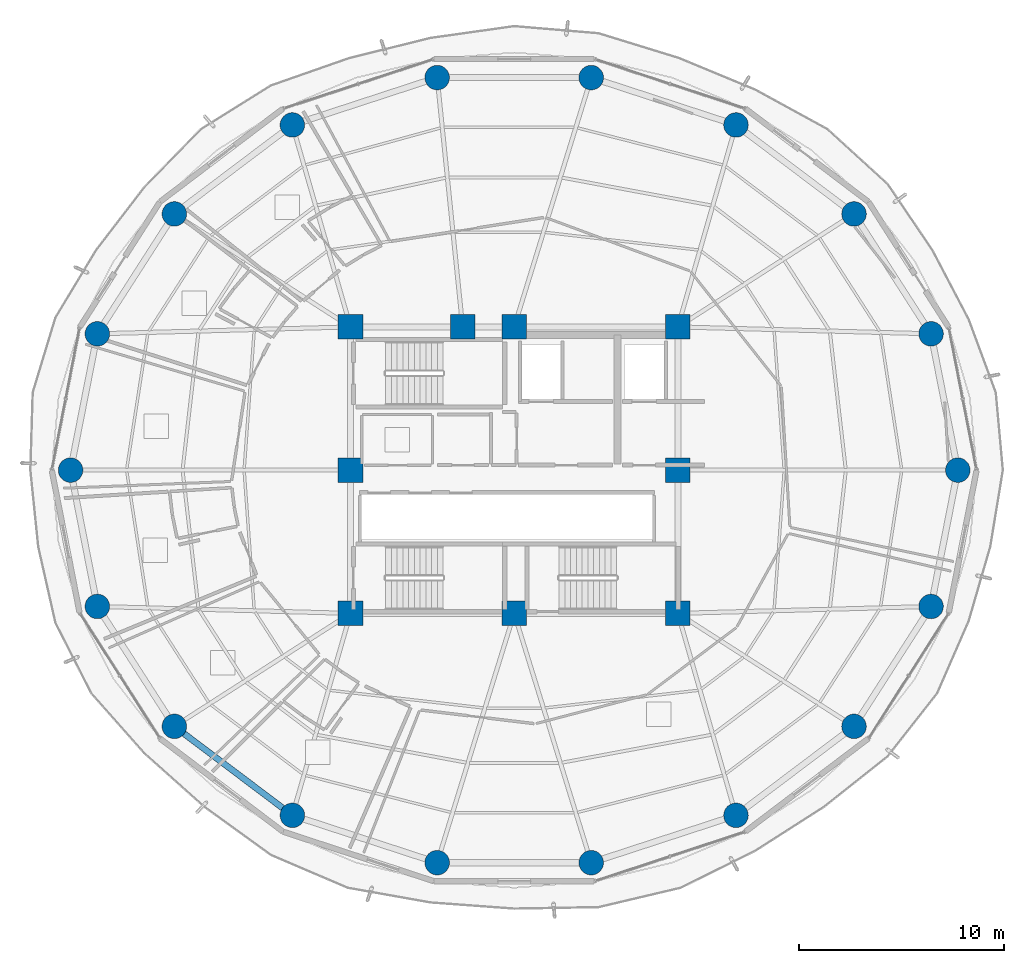
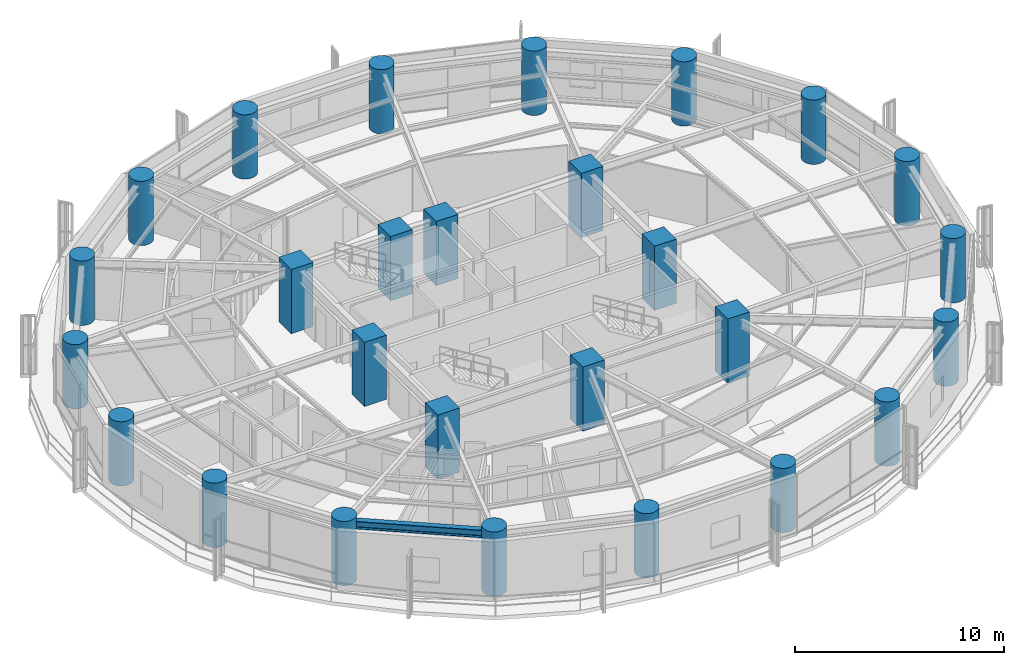
# One storey, part 1 of 27: 27 columns, 1 beam.
"""IFC4 building model written with IfcOpenShell, lengths in metres."""

from ifc_helpers import new_model, si_unit, direction, frame, origin, origin_2d, place, context, subcontext, project, spatial, rectangle, circle, i_section, extrude, material, material_profile, profile_set, type_object, element, save


model = new_model("IFC4")

# Units and contexts
model_context = context("Model", 3, precision=1e-05, world=origin(), true_north=direction((0.0, 1.0)))
body_context = subcontext(model_context, "Body", "Model", "MODEL_VIEW")
ifc_project = project(units=[si_unit("LENGTHUNIT", "METRE"), si_unit("AREAUNIT", "SQUARE_METRE"), si_unit("VOLUMEUNIT", "CUBIC_METRE"), si_unit("PLANEANGLEUNIT", "RADIAN"), si_unit("MASSUNIT", "GRAM", prefix="KILO")], contexts=[model_context])

# Site, building, storey
site_placement = place(None, origin())
site = spatial("IfcSite", under=ifc_project, at=site_placement, CompositionType="ELEMENT")
building_placement = place(site_placement, origin())
building = spatial("IfcBuilding", under=site, at=building_placement, Name="Kelanora Arch Commons", CompositionType="ELEMENT")
storey_placement = place(building_placement, frame((0.0, 0.0, 146.85009765625)))
storey = spatial("IfcBuildingStorey", under=building, at=storey_placement, Name="L37", CompositionType="ELEMENT", Elevation=146.85009765625)

# Columns
ifc_material_1 = material(Name="Concrete C50/60", Category="concrete")
ifc_material_profile_1 = material_profile(ifc_material_1, circle(Radius=0.60009765625, at=origin_2d()), Name="RCC1200")
ifc_profile_set_1 = profile_set([ifc_material_profile_1], Name="Concrete C50/60")
column_type_1 = type_object("IfcColumnType", Name="COL-PERIM-Z3", PredefinedType="COLUMN", material=ifc_profile_set_1)
for number, where, z_axis, x_axis, name in (
    (1, (95.679931640625, 58.0, 0.0), (0.0, 0.0, 1.0), (1.0, 0.0, 0.0), "Perimeter Ring Column CP-00 L37"),
    (2, (94.37255859375, 64.66259765625, 0.0), (0.0, 0.0, 1.0), (1.0, 0.0, 0.0), "Perimeter Ring Column CP-02 L37"),
    (3, (90.60791015625, 70.521484375, 0.0), (0.0, 0.0, 1.0), (1.0, 0.0, 0.0), "Perimeter Ring Column CP-04 L37"),
    (4, (84.840087890625, 74.8701171875, 0.0), (0.0, 0.0, 1.0), (1.0, 0.0, 0.0), "Perimeter Ring Column CP-06 L37"),
    (5, (77.7646484375, 77.18408203125, 0.0), (0.0, 0.0, 1.0), (1.0, 0.0, 0.0), "Perimeter Ring Column CP-08 L37"),
    (6, (70.2353515625, 77.18408203125, 0.0), (0.0, 0.0, 1.0), (1.0, 0.0, 0.0), "Perimeter Ring Column CP-10 L37"),
    (7, (63.159912109375, 74.8701171875, 0.0), (0.0, 0.0, 1.0), (1.0, 0.0, 0.0), "Perimeter Ring Column CP-12 L37"),
    (8, (57.39208984375, 70.521484375, 0.0), (0.0, 0.0, 1.0), (1.0, 0.0, 0.0), "Perimeter Ring Column CP-14 L37"),
    (9, (53.62744140625, 64.66259765625, 0.0), (0.0, 0.0, 1.0), (1.0, 0.0, 0.0), "Perimeter Ring Column CP-16 L37"),
    (10, (52.320068359375, 58.0, 0.0), (0.0, 0.0, 1.0), (1.0, 0.0, 0.0), "Perimeter Ring Column CP-18 L37"),
    (11, (53.62744140625, 51.33740234375, 0.0), (0.0, 0.0, 1.0), (1.0, 0.0, 0.0), "Perimeter Ring Column CP-20 L37"),
    (12, (57.39208984375, 45.478515625, 0.0), (0.0, 0.0, 1.0), (1.0, 0.0, 0.0), "Perimeter Ring Column CP-22 L37"),
    (13, (63.159912109375, 41.1298828125, 0.0), (0.0, 0.0, 1.0), (1.0, 0.0, 0.0), "Perimeter Ring Column CP-24 L37"),
    (14, (70.2353515625, 38.81591796875, 0.0), (0.0, 0.0, 1.0), (1.0, 0.0, 0.0), "Perimeter Ring Column CP-26 L37"),
    (15, (77.7646484375, 38.81591796875, 0.0), (0.0, 0.0, 1.0), (1.0, 0.0, 0.0), "Perimeter Ring Column CP-28 L37"),
    (16, (84.840087890625, 41.1298828125, 0.0), (0.0, 0.0, 1.0), (1.0, 0.0, 0.0), "Perimeter Ring Column CP-30 L37"),
    (17, (90.60791015625, 45.478515625, 0.0), (0.0, 0.0, 1.0), (1.0, 0.0, 0.0), "Perimeter Ring Column CP-32 L37"),
    (18, (94.37255859375, 51.33740234375, 0.0), (0.0, 0.0, 1.0), (1.0, 0.0, 0.0), "Perimeter Ring Column CP-34 L37"),
):
    element("IfcColumn", number, at=place(storey_placement, frame(where, z_axis=z_axis, x_axis=x_axis)), inside=storey, type_object=column_type_1, Name=name, PredefinedType="COLUMN", context=body_context, shape_type="SweptSolid", body=[
        extrude(circle(Radius=0.60009765625, at=origin_2d()), origin(), (0.0, 0.0, 1.0), 3.75),
    ])
ifc_material_2 = material(Name="Concrete C60/75", Category="concrete")
ifc_material_profile_2 = material_profile(ifc_material_2, rectangle(XDim=1.199951171875, YDim=1.199951171875, at=origin_2d()), Name="RC1200x1200")
ifc_profile_set_2 = profile_set([ifc_material_profile_2], Name="Concrete C60/75")
column_type_2 = type_object("IfcColumnType", Name="COL-PIL-MID", PredefinedType="PILASTER", material=ifc_profile_set_2)
for number, where, z_axis, x_axis, name in (
    (19, (66.0, 51.0, 0.0), (0.0, 0.0, 1.0), (1.0, 0.0, 0.0), "Core Pilaster Column CP1 L37"),
    (20, (74.0, 51.0, 0.0), (0.0, 0.0, 1.0), (1.0, 0.0, 0.0), "Core Pilaster Column CP2 L37"),
    (21, (82.0, 51.0, 0.0), (0.0, 0.0, 1.0), (1.0, 0.0, 0.0), "Core Pilaster Column CP3 L37"),
    (22, (82.0, 58.0, 0.0), (0.0, 0.0, 1.0), (1.0, 0.0, 0.0), "Core Pilaster Column CP4 L37"),
    (23, (82.0, 65.0, 0.0), (0.0, 0.0, 1.0), (1.0, 0.0, 0.0), "Core Pilaster Column CP5 L37"),
    (24, (74.0, 65.0, 0.0), (0.0, 0.0, 1.0), (1.0, 0.0, 0.0), "Core Pilaster Column CP6 L37"),
    (25, (71.47998046875, 65.0, 0.0), (0.0, 0.0, 1.0), (1.0, 0.0, 0.0), "Core Pilaster Column CP9 L37"),
    (26, (66.0, 65.0, 0.0), (0.0, 0.0, 1.0), (1.0, 0.0, 0.0), "Core Pilaster Column CP7 L37"),
    (27, (66.0, 58.0, 0.0), (0.0, 0.0, 1.0), (1.0, 0.0, 0.0), "Core Pilaster Column CP8 L37"),
):
    element("IfcColumn", number, at=place(storey_placement, frame(where, z_axis=z_axis, x_axis=x_axis)), inside=storey, type_object=column_type_2, Name=name, PredefinedType="PILASTER", context=body_context, shape_type="SweptSolid", body=[
        extrude(rectangle(XDim=1.199951171875, YDim=1.199951171875, at=origin_2d()), origin(), (0.0, 0.0, 1.0), 3.75),
    ])

# Beam
ifc_material_3 = material(Name="Steel S355", Category="steel")
ifc_material_profile_3 = material_profile(ifc_material_3, i_section(OverallWidth=0.300048828125, OverallDepth=0.449951171875, WebThickness=0.013916015625, FlangeThickness=0.02587890625, FilletRadius=0.027099609375, at=origin_2d()), Name="HEB450")
ifc_profile_set_3 = profile_set([ifc_material_profile_3], Name="Steel S355")
beam_type = type_object("IfcBeamType", Name="BM-SPN-Z3", PredefinedType="SPANDREL", material=ifc_profile_set_3)
beam_placement = place(storey_placement, frame((57.39208984375, 45.478515625, 3.264892578125), z_axis=(0.798484645564, -0.60201517489, 0.0), x_axis=(0.60201517489, 0.798484645564, 0.0)))
element("IfcBeam", 28, at=beam_placement, inside=storey, type_object=beam_type, Name="Perimeter Spandrel Beam BS-22 L37", PredefinedType="SPANDREL", context=body_context, shape_type="SweptSolid", body=[
    extrude(i_section(OverallWidth=0.300048828125, OverallDepth=0.449951171875, WebThickness=0.013916015625, FlangeThickness=0.02587890625, FilletRadius=0.027099609375, at=origin_2d()), origin(), (0.0, 0.0, 1.0), 7.223388671875),
])

save(model, "model.ifc")
